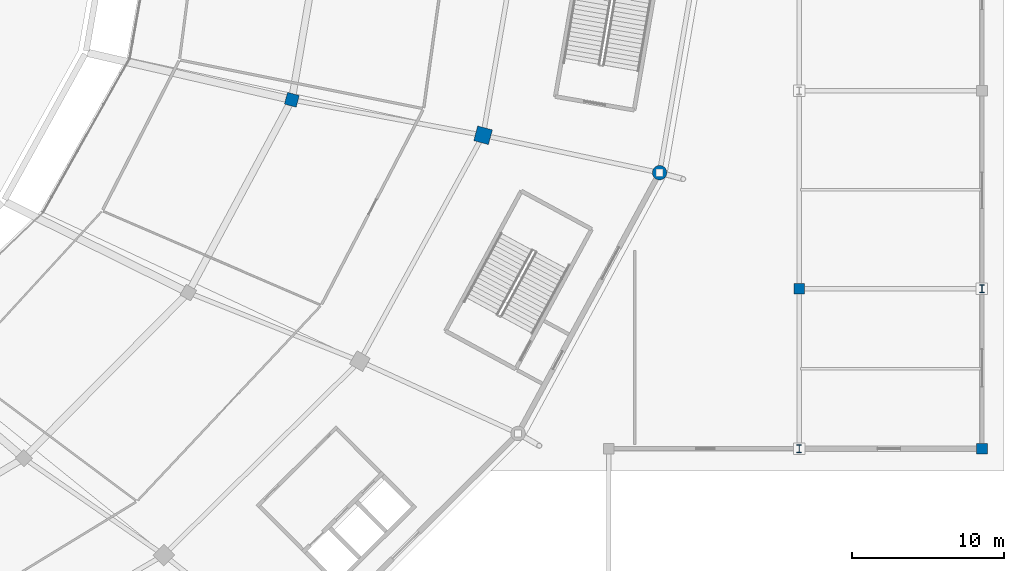
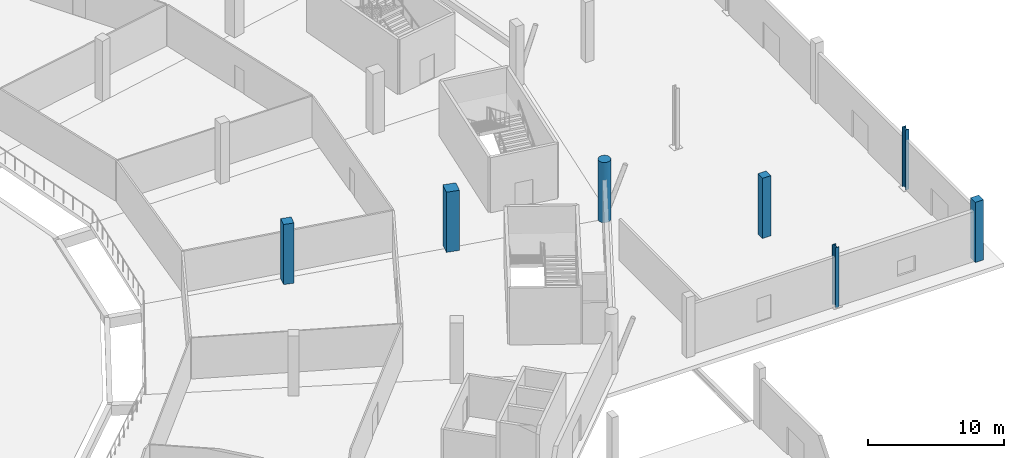
# One storey, part 13 of 82: 7 columns.
"""IFC4 building model written with IfcOpenShell, lengths in metres."""

from ifc_helpers import new_model, si_unit, direction, frame, origin, origin_2d, place, context, subcontext, project, spatial, rectangle, circle, i_section, extrude, material, material_profile, profile_set, type_object, element, save


model = new_model("IFC4")

# Units and contexts
model_context = context("Model", 3, precision=1e-05, world=origin(), true_north=direction((0.0, 1.0)))
body_context = subcontext(model_context, "Body", "Model", "MODEL_VIEW")
ifc_project = project(units=[si_unit("LENGTHUNIT", "METRE"), si_unit("AREAUNIT", "SQUARE_METRE"), si_unit("VOLUMEUNIT", "CUBIC_METRE"), si_unit("PLANEANGLEUNIT", "RADIAN"), si_unit("MASSUNIT", "GRAM", prefix="KILO")], contexts=[model_context])

# Site, building, storey
site_placement = place(None, origin())
site = spatial("IfcSite", under=ifc_project, at=site_placement, CompositionType="ELEMENT")
building_placement = place(site_placement, origin())
building = spatial("IfcBuilding", under=site, at=building_placement, Name="Zlatoyarsky Gate Stadium", CompositionType="ELEMENT")
storey_placement = place(building_placement, origin())
storey = spatial("IfcBuildingStorey", under=building, at=storey_placement, Name="L00", CompositionType="ELEMENT", Elevation=0.0)

# Columns
ifc_material_1 = material(Name="Concrete C40/50", Category="concrete")
ifc_material_profile_1 = material_profile(ifc_material_1, circle(Radius=0.47509765625, at=origin_2d()), Name="RC COL D950")
ifc_profile_set_1 = profile_set([ifc_material_profile_1], Name="Concrete C40/50")
column_type_1 = type_object("IfcColumnType", Name="CONCRETE CIRCULAR COLUMN D950", PredefinedType="COLUMN", material=ifc_profile_set_1)
column_1_placement = place(storey_placement, frame((200.8310546875, 61.623779296875, 0.0), z_axis=(0.0, 0.0, 1.0), x_axis=(0.965925826289, -0.258819045103, 0.0)))
element("IfcColumn", 1, at=column_1_placement, inside=storey, type_object=column_type_1, Name="Column RC-CD95 RC-23 on L00", PredefinedType="COLUMN", context=body_context, shape_type="SweptSolid", body=[
    extrude(circle(Radius=0.47509765625, at=origin_2d()), origin(), (0.0, 0.0, 1.0), 5.39990234375),
])
ifc_material_profile_2 = material_profile(ifc_material_1, rectangle(XDim=1.0, YDim=1.0, at=origin_2d()), Name="RC COL 1000X1000")
ifc_profile_set_2 = profile_set([ifc_material_profile_2], Name="Concrete C40/50")
column_type_2 = type_object("IfcColumnType", Name="CONCRETE COLUMN 1000X1000", PredefinedType="COLUMN", material=ifc_profile_set_2)
column_2_placement = place(storey_placement, frame((189.239990234375, 64.08251953125, 0.0), z_axis=(0.0, 0.0, 1.0), x_axis=(0.965925826289, -0.258819045103, 0.0)))
element("IfcColumn", 2, at=column_2_placement, inside=storey, type_object=column_type_2, Name="Column RC-C100 RB-23 on L00", PredefinedType="COLUMN", context=body_context, shape_type="SweptSolid", body=[
    extrude(rectangle(XDim=1.0, YDim=1.0, at=origin_2d()), origin(), (0.0, 0.0, 1.0), 5.39990234375),
])
ifc_material_profile_3 = material_profile(ifc_material_1, rectangle(XDim=0.699951171875, YDim=0.699951171875, at=origin_2d()), Name="RC COL 700X700")
ifc_profile_set_3 = profile_set([ifc_material_profile_3], Name="Concrete C40/50")
column_type_3 = type_object("IfcColumnType", Name="CONCRETE COLUMN 700X700", PredefinedType="COLUMN", material=ifc_profile_set_3)
for number, where, z_axis, x_axis, name in (
    (3, (210.0, 54.0, 0.0), (0.0, 0.0, 1.0), (1.0, 0.0, 0.0), "Column RC-C70 WG-18-F on L00"),
    (4, (222.0, 43.5, 0.0), (0.0, 0.0, 1.0), (1.0, 0.0, 0.0), "Column RC-C70 WG-19-E on L00"),
):
    element("IfcColumn", number, at=place(storey_placement, frame(where, z_axis=z_axis, x_axis=x_axis)), inside=storey, type_object=column_type_3, Name=name, PredefinedType="COLUMN", context=body_context, shape_type="SweptSolid", body=[
        extrude(rectangle(XDim=0.699951171875, YDim=0.699951171875, at=origin_2d()), origin(), (0.0, 0.0, 1.0), 5.39990234375),
    ])
ifc_material_profile_4 = material_profile(ifc_material_1, rectangle(XDim=0.800048828125, YDim=0.800048828125, at=origin_2d()), Name="RC COL 800X800")
ifc_profile_set_4 = profile_set([ifc_material_profile_4], Name="Concrete C40/50")
column_type_4 = type_object("IfcColumnType", Name="CONCRETE COLUMN 800X800", PredefinedType="COLUMN", material=ifc_profile_set_4)
column_3_placement = place(storey_placement, frame((176.68310546875, 66.412109375, 0.0), z_axis=(0.0, 0.0, 1.0), x_axis=(0.965925826289, -0.258819045103, 0.0)))
element("IfcColumn", 5, at=column_3_placement, inside=storey, type_object=column_type_4, Name="Column RC-C80 RA-23 on L00", PredefinedType="COLUMN", context=body_context, shape_type="SweptSolid", body=[
    extrude(rectangle(XDim=0.800048828125, YDim=0.800048828125, at=origin_2d()), origin(), (0.0, 0.0, 1.0), 5.39990234375),
])
ifc_material_2 = material(Name="Steel S355", Category="steel")
ifc_material_profile_5 = material_profile(ifc_material_2, i_section(OverallWidth=0.300048828125, OverallDepth=0.5, WebThickness=0.014404296875, FlangeThickness=0.028076171875, FilletRadius=0.027099609375, at=origin_2d()), Name="HEB 500")
ifc_profile_set_5 = profile_set([ifc_material_profile_5], Name="Steel S355")
column_type_5 = type_object("IfcColumnType", Name="STEEL COLUMN HEB 500", PredefinedType="COLUMN", material=ifc_profile_set_5)
for number, where, z_axis, x_axis, name in (
    (6, (210.0, 43.5, 0.0), (0.0, 0.0, 1.0), (1.0, 0.0, 0.0), "Column ST-C500 WG-18-E on L00"),
    (7, (222.0, 54.0, 0.0), (0.0, 0.0, 1.0), (1.0, 0.0, 0.0), "Column ST-C500 WG-19-F on L00"),
):
    element("IfcColumn", number, at=place(storey_placement, frame(where, z_axis=z_axis, x_axis=x_axis)), inside=storey, type_object=column_type_5, Name=name, PredefinedType="COLUMN", context=body_context, shape_type="SweptSolid", body=[
        extrude(i_section(OverallWidth=0.300048828125, OverallDepth=0.5, WebThickness=0.014404296875, FlangeThickness=0.028076171875, FilletRadius=0.027099609375, at=origin_2d()), origin(), (0.0, 0.0, 1.0), 5.39990234375),
    ])

save(model, "model.ifc")
